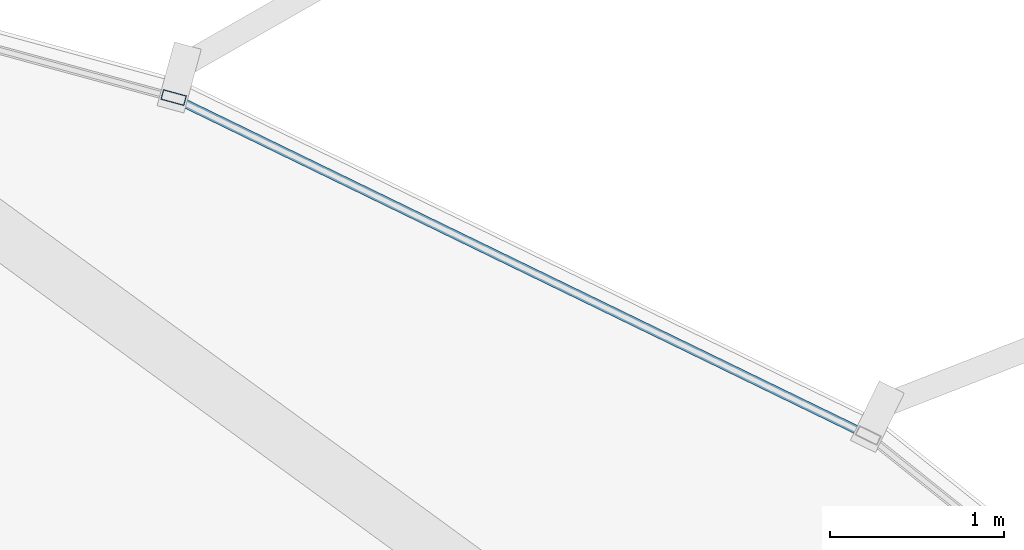
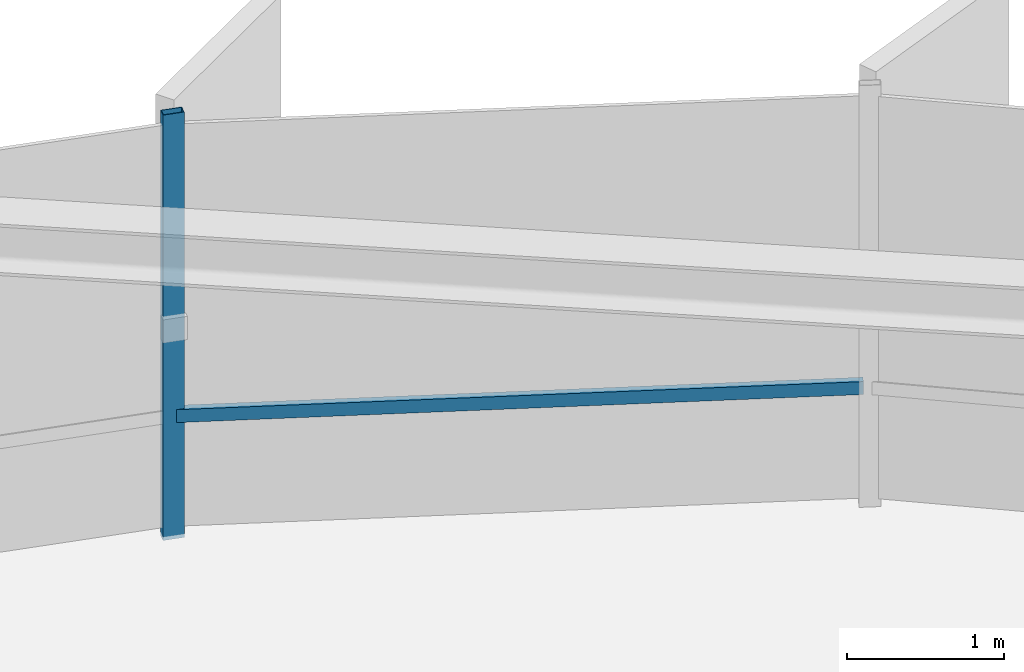
# One storey, part 24 of 36: 2 members, 1 element without a shape of its own.
"""IFC4 building model written with IfcOpenShell, lengths in metres."""

from ifc_helpers import new_model, si_unit, direction, frame, origin, origin_2d, place, context, subcontext, project, spatial, hollow_rectangle, extrude, source, transform, mapped, material, layer, layer_set, material_profile, profile_set, type_object, element, aggregate, save


model = new_model("IFC4")

# Units and contexts
model_context = context("Model", 3, precision=1e-05, world=origin(), true_north=direction((0.0, 1.0)))
body_context = subcontext(model_context, "Body", "Model", "MODEL_VIEW")
ifc_project = project(units=[si_unit("LENGTHUNIT", "METRE"), si_unit("AREAUNIT", "SQUARE_METRE"), si_unit("VOLUMEUNIT", "CUBIC_METRE"), si_unit("PLANEANGLEUNIT", "RADIAN"), si_unit("MASSUNIT", "GRAM", prefix="KILO"), si_unit("THERMODYNAMICTEMPERATUREUNIT", "KELVIN")], contexts=[model_context])

# Site, building, storey
site_placement = place(None, origin())
site = spatial("IfcSite", under=ifc_project, at=site_placement, CompositionType="ELEMENT")
building_placement = place(site_placement, origin())
building = spatial("IfcBuilding", under=site, at=building_placement, Name="Kethvar Cultural Tower", CompositionType="ELEMENT")
storey_placement = place(building_placement, frame((0.0, 0.0, 150.10009765625)))
storey = spatial("IfcBuildingStorey", under=building, at=storey_placement, Name="L38", CompositionType="ELEMENT", Elevation=150.10009765625)

# Curtain wall, members
ifc_material = material(Name="Aluminium 6063-T6", Category="aluminium")
ifc_layer = layer(ifc_material, 0.179931640625, Name="Aluminium 6063-T6", Category="aluminium")
ifc_layer_set = layer_set([ifc_layer], Name="Aluminium 6063-T6 (180 mm)")
curtain_wall_type = type_object("IfcCurtainWallType", Name="CW-SYS-04-Z34", PredefinedType="NOTDEFINED", material=ifc_layer_set)
curtain_wall_placement = place(storey_placement, origin())
curtain_wall = element("IfcCurtainWall", 1, at=curtain_wall_placement, inside=storey, type_object=curtain_wall_type, Name="L38 Curtain Wall Run 01", PredefinedType="NOTDEFINED")
ifc_material_profile_1 = material_profile(ifc_material, hollow_rectangle(XDim=0.06005859375, YDim=0.139892578125, WallThickness=0.0048828125, at=origin_2d()), Name="Aluminium 6063-T6 — RHS140x60x5")
ifc_profile_set_1 = profile_set([ifc_material_profile_1], Name="Aluminium 6063-T6 — RHS140x60x5")
member_type_1 = type_object("IfcMemberType", Name="CW-SYS-04-Z34-MUL", PredefinedType="MULLION", material=ifc_profile_set_1)
shared_shape_1 = source(origin(), body_context, "Body", "SweptSolid", [
    extrude(hollow_rectangle(XDim=0.06005859375, YDim=0.139892578125, WallThickness=0.0048828125, at=origin_2d()), origin(), (0.0, 0.0, 1.0), 3.2998046875),
])
member_1_placement = place(storey_placement, frame((64.5224609375, 50.611328125, 0.0), z_axis=(0.0, 0.0, 1.0), x_axis=(-0.263233273272, -0.96473221354, 0.0)))
member_1 = element("IfcMember", 2, at=member_1_placement, type_object=member_type_1, Name="CW-L38-R01 Mullion 4", PredefinedType="MULLION", context=body_context, shape_type="MappedRepresentation", body=[
    mapped(shared_shape_1, transform((0.0, 0.0, 0.0), scale=1.0)),
])
ifc_material_profile_2 = material_profile(ifc_material, hollow_rectangle(XDim=0.050048828125, YDim=0.10009765625, WallThickness=0.00390625, at=origin_2d()), Name="Aluminium 6063-T6 — RHS100x50x4")
ifc_profile_set_2 = profile_set([ifc_material_profile_2], Name="Aluminium 6063-T6 — RHS100x50x4")
member_type_2 = type_object("IfcMemberType", Name="CW-SYS-04-Z34-TRN", PredefinedType="USERDEFINED", material=ifc_profile_set_2)
shared_shape_2 = source(origin(), body_context, "Body", "SweptSolid", [
    extrude(hollow_rectangle(XDim=0.050048828125, YDim=0.10009765625, WallThickness=0.00390625, at=origin_2d()), origin(), (0.0, 0.0, 1.0), 4.376953125),
])
member_2_placement = place(storey_placement, frame((68.47900390625, 48.6865234375, 0.949951171875), z_axis=(-0.899423590222, 0.437078031193, 0.0), x_axis=(-0.437078031193, -0.899423590222, 0.0)))
member_2 = element("IfcMember", 3, at=member_2_placement, type_object=member_type_2, Name="CW-L38-R01 Transom 3", ObjectType="TRANSOM", PredefinedType="USERDEFINED", context=body_context, shape_type="MappedRepresentation", body=[
    mapped(shared_shape_2, transform((0.0, 0.0, 0.0), scale=1.0)),
])
aggregate(curtain_wall, [member_1, member_2])

save(model, "model.ifc")
